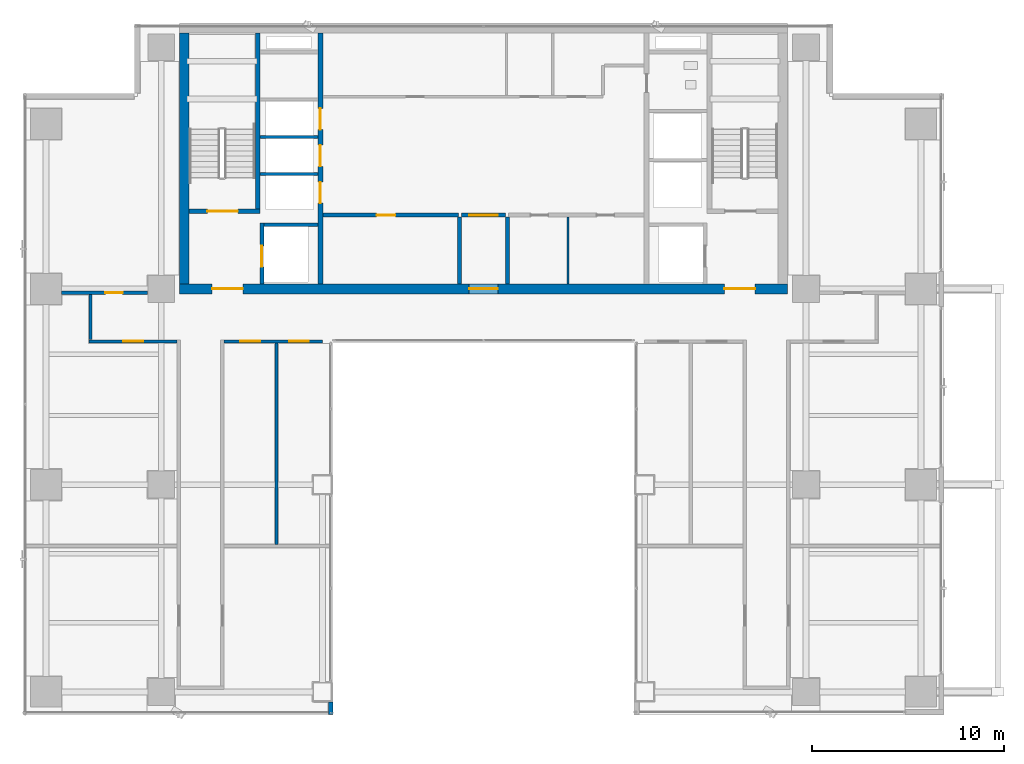
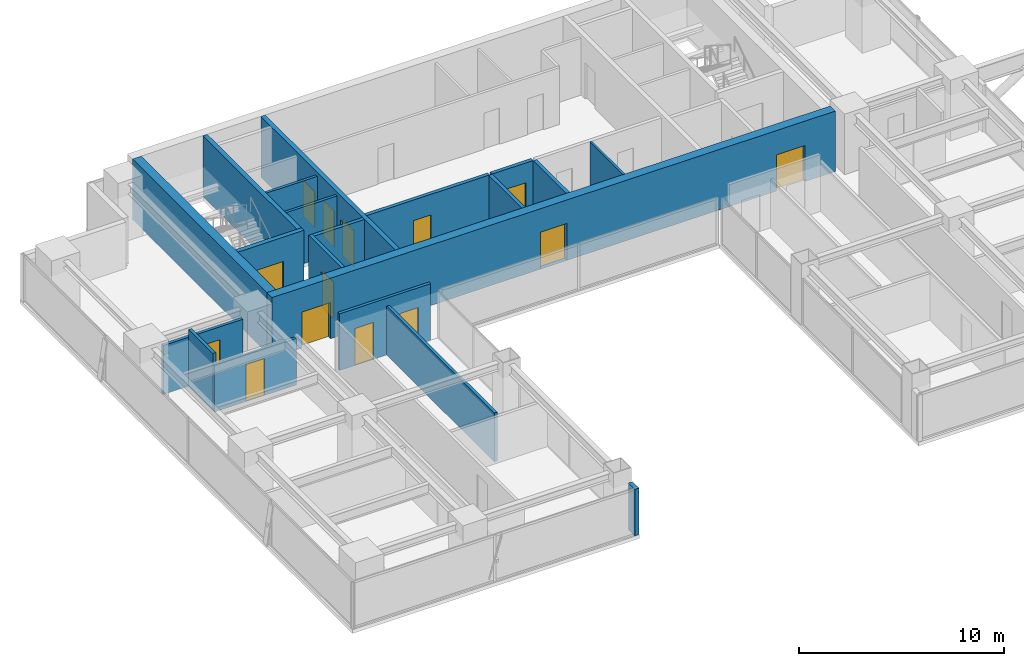
# One storey, part 25 of 31: 20 walls, 14 doors, 14 openings.
"""IFC4 building model written with IfcOpenShell, lengths in metres."""

from ifc_helpers import new_model, si_unit, direction, frame, frame_2d, origin, place, context, subcontext, project, spatial, rectangle, extrude, source, transform, mapped, material, layer, layer_set, type_object, element, fill, save


model = new_model("IFC4")

# Units and contexts
model_context = context("Model", 3, precision=1e-05, world=origin(), true_north=direction((0.0, 1.0)))
body_context = subcontext(model_context, "Body", "Model", "MODEL_VIEW")
ifc_project = project(units=[si_unit("LENGTHUNIT", "METRE"), si_unit("AREAUNIT", "SQUARE_METRE"), si_unit("VOLUMEUNIT", "CUBIC_METRE"), si_unit("PLANEANGLEUNIT", "RADIAN"), si_unit("MASSUNIT", "GRAM", prefix="KILO")], contexts=[model_context])

# Site, building, storey
site_placement = place(None, origin())
site = spatial("IfcSite", under=ifc_project, at=site_placement, CompositionType="ELEMENT")
building_placement = place(site_placement, origin())
building = spatial("IfcBuilding", under=site, at=building_placement, Name="Sumidabori Civic Tower", CompositionType="ELEMENT")
storey_placement = place(building_placement, frame((0.0, 0.0, 221.60009765625)))
storey = spatial("IfcBuildingStorey", under=building, at=storey_placement, Name="L57", CompositionType="ELEMENT", Elevation=221.60009765625)

# Wall
ifc_material_1 = material(Name="Concrete C50/60", Category="concrete")
ifc_layer_1 = layer(ifc_material_1, 0.199951171875, Name="Concrete C50/60")
ifc_layer_set_1 = layer_set([ifc_layer_1], Name="Concrete C50/60")
wall_type_1 = type_object("IfcWallType", Name="WL-SHAFT-200", PredefinedType="SHEAR", material=ifc_layer_set_1)
shared_shape_1 = source(origin(), body_context, "Body", "SweptSolid", [
    extrude(rectangle(XDim=2.824951171875, YDim=0.199951171875, at=frame_2d((1.41259765625, 0.0))), origin(), (0.0, 0.0, 1.0), 3.599853515625),
])
wall_1_placement = place(storey_placement, frame((-11.449951171875, 13.550048828125, 0.0), z_axis=(0.0, 0.0, 1.0), x_axis=(1.0, 0.0, 0.0)))
element("IfcWall", 1, at=wall_1_placement, inside=storey, type_object=wall_type_1, Name="Core Shear Wall L57 EL1-N", PredefinedType="SHEAR", context=body_context, shape_type="MappedRepresentation", body=[
    mapped(shared_shape_1, transform((0.0, 0.0, 0.0), x_axis=(1.0, 0.0, 0.0), y_axis=(0.0, 1.0, 0.0), z_axis=(0.0, 0.0, 1.0), scale=1.0)),
])

# Wall, openings, doors
ifc_layer_2 = layer(ifc_material_1, 0.5, Name="Concrete C50/60")
ifc_layer_set_2 = layer_set([ifc_layer_2], Name="Concrete C50/60")
wall_type_2 = type_object("IfcWallType", Name="WL-CORE-500", PredefinedType="SHEAR", material=ifc_layer_set_2)
shared_shape_2 = source(origin(), body_context, "Body", "SweptSolid", [
    extrude(rectangle(XDim=31.7001953125, YDim=0.5, at=frame_2d((15.85009765625, 0.0))), origin(), (0.0, 0.0, 1.0), 3.599853515625),
])
wall_2_placement = place(storey_placement, frame((-15.85009765625, 10.199951171875, 0.0), z_axis=(0.0, 0.0, 1.0), x_axis=(1.0, 0.0, 0.0)))
wall_2 = element("IfcWall", 2, at=wall_2_placement, inside=storey, type_object=wall_type_2, Name="Core Shear Wall L57 S", PredefinedType="SHEAR", context=body_context, shape_type="MappedRepresentation", body=[
    mapped(shared_shape_2, transform((0.0, 0.0, 0.0), x_axis=(1.0, 0.0, 0.0), y_axis=(0.0, 1.0, 0.0), z_axis=(0.0, 0.0, 1.0), scale=1.0)),
])
opening_1_placement = place(wall_2_placement, frame((1.699951171875, 0.0, 0.0)))
opening_1 = element("IfcOpeningElement", 3, at=opening_1_placement, cuts=wall_2, Name="Opening DR-FD4", PredefinedType="OPENING", context=body_context, shape_type="SweptSolid", body=[
    extrude(rectangle(XDim=1.60009765625, YDim=2.14990234375, at=frame_2d((0.800048828125, 1.074951171875))), frame((0.0, 0.261962890625, 0.0), z_axis=(0.0, -1.0, 0.0), x_axis=(1.0, 0.0, 0.0)), (0.0, 0.0, 1.0), 0.52392578125),
])
opening_2_placement = place(wall_2_placement, frame((28.39990234375, 0.0, 0.0)))
opening_2 = element("IfcOpeningElement", 4, at=opening_2_placement, cuts=wall_2, Name="Opening DR-FD4", PredefinedType="OPENING", context=body_context, shape_type="SweptSolid", body=[
    extrude(rectangle(XDim=1.60009765625, YDim=2.14990234375, at=frame_2d((0.800048828125, 1.074951171875))), frame((0.0, 0.261962890625, 0.0), z_axis=(0.0, -1.0, 0.0), x_axis=(1.0, 0.0, 0.0)), (0.0, 0.0, 1.0), 0.52392578125),
])
opening_3_placement = place(wall_2_placement, frame((15.10009765625, 0.0, 0.0)))
opening_3 = element("IfcOpeningElement", 5, at=opening_3_placement, cuts=wall_2, Name="Opening DR-FD3", PredefinedType="OPENING", context=body_context, shape_type="SweptSolid", body=[
    extrude(rectangle(XDim=1.5, YDim=2.199951171875, at=frame_2d((0.75, 1.10009765625))), frame((0.0, 0.261962890625, 0.0), z_axis=(0.0, -1.0, 0.0), x_axis=(1.0, 0.0, 0.0)), (0.0, 0.0, 1.0), 0.52392578125),
])
ifc_material_2 = material(Name="Steel SN490", Category="steel")
door_type_1 = type_object("IfcDoorType", Name="DR-FD4", OperationType="DOUBLE_DOOR_SINGLE_SWING", PredefinedType="DOOR", material=ifc_material_2)
shared_shape_3 = source(origin(), body_context, "Body", "SweptSolid", [
    extrude(rectangle(XDim=1.60009765625, YDim=2.14990234375, at=frame_2d((0.800048828125, 1.074951171875))), frame((0.0, 0.02490234375, 0.0), z_axis=(0.0, -1.0, 0.0), x_axis=(1.0, 0.0, 0.0)), (0.0, 0.0, 1.0), 0.050048828125),
])
door_1_placement = place(opening_1_placement, origin())
door_1 = element("IfcDoor", 6, at=door_1_placement, inside=storey, type_object=door_type_1, Name="Door DR:L57:ELOB-W", OperationType="DOUBLE_DOOR_SINGLE_SWING", OverallHeight=2.14990234375, OverallWidth=1.60009765625, PredefinedType="DOOR", context=body_context, shape_type="MappedRepresentation", body=[
    mapped(shared_shape_3, transform((0.0, 0.0, 0.0), x_axis=(1.0, 0.0, 0.0), y_axis=(0.0, 1.0, 0.0), z_axis=(0.0, 0.0, 1.0), scale=1.0)),
])
fill(opening_1, door_1)
door_2_placement = place(opening_2_placement, origin())
door_2 = element("IfcDoor", 7, at=door_2_placement, inside=storey, type_object=door_type_1, Name="Door DR:L57:ELOB-E", OperationType="DOUBLE_DOOR_SINGLE_SWING", OverallHeight=2.14990234375, OverallWidth=1.60009765625, PredefinedType="DOOR", context=body_context, shape_type="MappedRepresentation", body=[
    mapped(shared_shape_3, transform((0.0, 0.0, 0.0), x_axis=(1.0, 0.0, 0.0), y_axis=(0.0, 1.0, 0.0), z_axis=(0.0, 0.0, 1.0), scale=1.0)),
])
fill(opening_2, door_2)
door_type_2 = type_object("IfcDoorType", Name="DR-FD-DBL", OperationType="DOUBLE_DOOR_SINGLE_SWING", PredefinedType="DOOR", material=ifc_material_2)
shared_shape_4 = source(origin(), body_context, "Body", "SweptSolid", [
    extrude(rectangle(XDim=1.5, YDim=2.199951171875, at=frame_2d((0.75, 1.10009765625))), frame((0.0, 0.02490234375, 0.0), z_axis=(0.0, -1.0, 0.0), x_axis=(1.0, 0.0, 0.0)), (0.0, 0.0, 1.0), 0.050048828125),
])
door_3_placement = place(opening_3_placement, origin())
door_3 = element("IfcDoor", 8, at=door_3_placement, inside=storey, type_object=door_type_2, Name="Door DR:L57:THROAT-OUT", OperationType="DOUBLE_DOOR_SINGLE_SWING", OverallHeight=2.199951171875, OverallWidth=1.5, PredefinedType="DOOR", context=body_context, shape_type="MappedRepresentation", body=[
    mapped(shared_shape_4, transform((0.0, 0.0, 0.0), x_axis=(1.0, 0.0, 0.0), y_axis=(0.0, 1.0, 0.0), z_axis=(0.0, 0.0, 1.0), scale=1.0)),
])
fill(opening_3, door_3)

# Wall
shared_shape_5 = source(origin(), body_context, "Body", "SweptSolid", [
    extrude(rectangle(XDim=13.10009765625, YDim=0.5, at=frame_2d((6.550048828125, 0.0))), origin(), (0.0, 0.0, 1.0), 3.599853515625),
])
wall_3_placement = place(storey_placement, frame((-15.60009765625, 10.449951171875, 0.0), z_axis=(0.0, 0.0, 1.0), x_axis=(0.0, 1.0, 0.0)))
element("IfcWall", 9, at=wall_3_placement, inside=storey, type_object=wall_type_2, Name="Core Shear Wall L57 W", PredefinedType="SHEAR", context=body_context, shape_type="MappedRepresentation", body=[
    mapped(shared_shape_5, transform((0.0, 0.0, 0.0), x_axis=(1.0, 0.0, 0.0), y_axis=(0.0, 1.0, 0.0), z_axis=(0.0, 0.0, 1.0), scale=1.0)),
])

# Wall, openings, doors
ifc_layer_3 = layer(ifc_material_1, 0.25, Name="Concrete C50/60")
ifc_layer_set_3 = layer_set([ifc_layer_3], Name="Concrete C50/60")
wall_type_3 = type_object("IfcWallType", Name="WL-SHAFT-250", PredefinedType="SHEAR", material=ifc_layer_set_3)
shared_shape_6 = source(origin(), body_context, "Body", "SweptSolid", [
    extrude(rectangle(XDim=13.10009765625, YDim=0.25, at=frame_2d((6.550048828125, 0.0))), origin(), (0.0, 0.0, 1.0), 3.599853515625),
])
wall_4_placement = place(storey_placement, frame((-8.5, 10.449951171875, 0.0), z_axis=(0.0, 0.0, 1.0), x_axis=(0.0, 1.0, 0.0)))
wall_4 = element("IfcWall", 10, at=wall_4_placement, inside=storey, type_object=wall_type_3, Name="Core Shear Wall L57 WEB-W", PredefinedType="SHEAR", context=body_context, shape_type="MappedRepresentation", body=[
    mapped(shared_shape_6, transform((0.0, 0.0, 0.0), x_axis=(1.0, 0.0, 0.0), y_axis=(0.0, 1.0, 0.0), z_axis=(0.0, 0.0, 1.0), scale=1.0)),
])
opening_4_placement = place(wall_4_placement, frame((4.219970703125, 0.0, 0.0)))
opening_4 = element("IfcOpeningElement", 11, at=opening_4_placement, cuts=wall_4, Name="Opening LD-1", PredefinedType="OPENING", context=body_context, shape_type="SweptSolid", body=[
    extrude(rectangle(XDim=1.10009765625, YDim=2.14990234375, at=frame_2d((0.550048828125, 1.074951171875))), frame((0.0, 0.136962890625, 0.0), z_axis=(0.0, -1.0, 0.0), x_axis=(1.0, 0.0, 0.0)), (0.0, 0.0, 1.0), 0.27392578125),
])
opening_5_placement = place(wall_4_placement, frame((6.139892578125, 0.0, 0.0)))
opening_5 = element("IfcOpeningElement", 12, at=opening_5_placement, cuts=wall_4, Name="Opening LD-1", PredefinedType="OPENING", context=body_context, shape_type="SweptSolid", body=[
    extrude(rectangle(XDim=1.10009765625, YDim=2.14990234375, at=frame_2d((0.550048828125, 1.074951171875))), frame((0.0, 0.136962890625, 0.0), z_axis=(0.0, -1.0, 0.0), x_axis=(1.0, 0.0, 0.0)), (0.0, 0.0, 1.0), 0.27392578125),
])
opening_6_placement = place(wall_4_placement, frame((8.06005859375, 0.0, 0.0)))
opening_6 = element("IfcOpeningElement", 13, at=opening_6_placement, cuts=wall_4, Name="Opening LD-1", PredefinedType="OPENING", context=body_context, shape_type="SweptSolid", body=[
    extrude(rectangle(XDim=1.10009765625, YDim=2.14990234375, at=frame_2d((0.550048828125, 1.074951171875))), frame((0.0, 0.136962890625, 0.0), z_axis=(0.0, -1.0, 0.0), x_axis=(1.0, 0.0, 0.0)), (0.0, 0.0, 1.0), 0.27392578125),
])
ifc_material_3 = material(Name="Stainless Steel Hairline Finish", Category="steel")
door_type_3 = type_object("IfcDoorType", Name="DR-LD1", OperationType="DOUBLE_DOOR_SLIDING", PredefinedType="DOOR", material=ifc_material_3)
shared_shape_7 = source(origin(), body_context, "Body", "SweptSolid", [
    extrude(rectangle(XDim=1.10009765625, YDim=2.14990234375, at=frame_2d((0.550048828125, 1.074951171875))), frame((0.0, 0.02490234375, 0.0), z_axis=(0.0, -1.0, 0.0), x_axis=(1.0, 0.0, 0.0)), (0.0, 0.0, 1.0), 0.050048828125),
])
door_4_placement = place(opening_4_placement, origin())
door_4 = element("IfcDoor", 14, at=door_4_placement, inside=storey, type_object=door_type_3, Name="Door DR:L57:LD-PLH1", OperationType="DOUBLE_DOOR_SLIDING", OverallHeight=2.14990234375, OverallWidth=1.10009765625, PredefinedType="DOOR", context=body_context, shape_type="MappedRepresentation", body=[
    mapped(shared_shape_7, transform((0.0, 0.0, 0.0), x_axis=(1.0, 0.0, 0.0), y_axis=(0.0, 1.0, 0.0), z_axis=(0.0, 0.0, 1.0), scale=1.0)),
])
fill(opening_4, door_4)
door_5_placement = place(opening_5_placement, origin())
door_5 = element("IfcDoor", 15, at=door_5_placement, inside=storey, type_object=door_type_3, Name="Door DR:L57:LD-PLH2", OperationType="DOUBLE_DOOR_SLIDING", OverallHeight=2.14990234375, OverallWidth=1.10009765625, PredefinedType="DOOR", context=body_context, shape_type="MappedRepresentation", body=[
    mapped(shared_shape_7, transform((0.0, 0.0, 0.0), x_axis=(1.0, 0.0, 0.0), y_axis=(0.0, 1.0, 0.0), z_axis=(0.0, 0.0, 1.0), scale=1.0)),
])
fill(opening_5, door_5)
door_6_placement = place(opening_6_placement, origin())
door_6 = element("IfcDoor", 16, at=door_6_placement, inside=storey, type_object=door_type_3, Name="Door DR:L57:LD-PLH3", OperationType="DOUBLE_DOOR_SLIDING", OverallHeight=2.14990234375, OverallWidth=1.10009765625, PredefinedType="DOOR", context=body_context, shape_type="MappedRepresentation", body=[
    mapped(shared_shape_7, transform((0.0, 0.0, 0.0), x_axis=(1.0, 0.0, 0.0), y_axis=(0.0, 1.0, 0.0), z_axis=(0.0, 0.0, 1.0), scale=1.0)),
])
fill(opening_6, door_6)

# Wall, opening, door
shared_shape_8 = source(origin(), body_context, "Body", "SweptSolid", [
    extrude(rectangle(XDim=3.705078125, YDim=0.25, at=frame_2d((1.8525390625, 0.0))), origin(), (0.0, 0.0, 1.0), 3.599853515625),
])
wall_5_placement = place(storey_placement, frame((-15.35009765625, 14.25, 0.0), z_axis=(0.0, 0.0, 1.0), x_axis=(1.0, 0.0, 0.0)))
wall_5 = element("IfcWall", 17, at=wall_5_placement, inside=storey, type_object=wall_type_3, Name="Core Shear Wall L57 ST1-S", PredefinedType="SHEAR", context=body_context, shape_type="MappedRepresentation", body=[
    mapped(shared_shape_8, transform((0.0, 0.0, 0.0), x_axis=(1.0, 0.0, 0.0), y_axis=(0.0, 1.0, 0.0), z_axis=(0.0, 0.0, 1.0), scale=1.0)),
])
opening_7_placement = place(wall_5_placement, frame((0.949951171875, 0.0, 0.0)))
opening_7 = element("IfcOpeningElement", 18, at=opening_7_placement, cuts=wall_5, Name="Opening DR-FD4", PredefinedType="OPENING", context=body_context, shape_type="SweptSolid", body=[
    extrude(rectangle(XDim=1.60009765625, YDim=2.14990234375, at=frame_2d((0.800048828125, 1.074951171875))), frame((0.0, 0.136962890625, 0.0), z_axis=(0.0, -1.0, 0.0), x_axis=(1.0, 0.0, 0.0)), (0.0, 0.0, 1.0), 0.27392578125),
])
door_7_placement = place(opening_7_placement, origin())
door_7 = element("IfcDoor", 19, at=door_7_placement, inside=storey, type_object=door_type_1, Name="Door DR:L57:ST1", OperationType="DOUBLE_DOOR_SINGLE_SWING", OverallHeight=2.14990234375, OverallWidth=1.60009765625, PredefinedType="DOOR", context=body_context, shape_type="MappedRepresentation", body=[
    mapped(shared_shape_3, transform((0.0, 0.0, 0.0), x_axis=(1.0, 0.0, 0.0), y_axis=(0.0, 1.0, 0.0), z_axis=(0.0, 0.0, 1.0), scale=1.0)),
])
fill(opening_7, door_7)

# Wall
shared_shape_9 = source(origin(), body_context, "Body", "SweptSolid", [
    extrude(rectangle(XDim=9.175048828125, YDim=0.25, at=frame_2d((4.58740234375, 0.0))), origin(), (0.0, 0.0, 1.0), 3.599853515625),
])
wall_6_placement = place(storey_placement, frame((-11.77001953125, 14.375, 0.0), z_axis=(0.0, 0.0, 1.0), x_axis=(0.0, 1.0, 0.0)))
element("IfcWall", 20, at=wall_6_placement, inside=storey, type_object=wall_type_3, Name="Core Shear Wall L57 ST1-E", PredefinedType="SHEAR", context=body_context, shape_type="MappedRepresentation", body=[
    mapped(shared_shape_9, transform((0.0, 0.0, 0.0), x_axis=(1.0, 0.0, 0.0), y_axis=(0.0, 1.0, 0.0), z_axis=(0.0, 0.0, 1.0), scale=1.0)),
])

# Wall, opening, door
shared_shape_10 = source(origin(), body_context, "Body", "SweptSolid", [
    extrude(rectangle(XDim=3.199951171875, YDim=0.199951171875, at=frame_2d((1.60009765625, 0.0))), origin(), (0.0, 0.0, 1.0), 3.599853515625),
])
wall_7_placement = place(storey_placement, frame((-11.550048828125, 10.449951171875, 0.0), z_axis=(0.0, 0.0, 1.0), x_axis=(0.0, 1.0, 0.0)))
wall_7 = element("IfcWall", 21, at=wall_7_placement, inside=storey, type_object=wall_type_1, Name="Core Shear Wall L57 EL1-W", PredefinedType="SHEAR", context=body_context, shape_type="MappedRepresentation", body=[
    mapped(shared_shape_10, transform((0.0, 0.0, 0.0), x_axis=(1.0, 0.0, 0.0), y_axis=(0.0, 1.0, 0.0), z_axis=(0.0, 0.0, 1.0), scale=1.0)),
])
opening_8_placement = place(wall_7_placement, frame((0.89990234375, 0.0, 0.0)))
opening_8 = element("IfcOpeningElement", 22, at=opening_8_placement, cuts=wall_7, Name="Opening LD-2", PredefinedType="OPENING", context=body_context, shape_type="SweptSolid", body=[
    extrude(rectangle(XDim=1.10009765625, YDim=2.14990234375, at=frame_2d((0.550048828125, 1.074951171875))), frame((0.0, 0.11181640625, 0.0), z_axis=(0.0, -1.0, 0.0), x_axis=(1.0, 0.0, 0.0)), (0.0, 0.0, 1.0), 0.223876953125),
])
door_type_4 = type_object("IfcDoorType", Name="DR-LD2", OperationType="DOUBLE_DOOR_SLIDING", PredefinedType="DOOR", material=ifc_material_3)
door_8_placement = place(opening_8_placement, origin())
door_8 = element("IfcDoor", 23, at=door_8_placement, inside=storey, type_object=door_type_4, Name="Door DR:L57:LD-EL1", OperationType="DOUBLE_DOOR_SLIDING", OverallHeight=2.14990234375, OverallWidth=1.10009765625, PredefinedType="DOOR", context=body_context, shape_type="MappedRepresentation", body=[
    mapped(shared_shape_7, transform((0.0, 0.0, 0.0), x_axis=(1.0, 0.0, 0.0), y_axis=(0.0, 1.0, 0.0), z_axis=(0.0, 0.0, 1.0), scale=1.0)),
])
fill(opening_8, door_8)

# Walls
ifc_material_4 = material(Name="Precast concrete C40/50", Category="concrete")
ifc_layer_4 = layer(ifc_material_4, 0.300048828125, Name="Precast concrete C40/50")
ifc_layer_set_4 = layer_set([ifc_layer_4], Name="Precast concrete C40/50")
wall_type_4 = type_object("IfcWallType", Name="WL-EXT-POD300", PredefinedType="STANDARD", material=ifc_layer_set_4)
shared_shape_11 = source(origin(), body_context, "Body", "SweptSolid", [
    extrude(rectangle(XDim=0.639892578125, YDim=0.239990234375, at=frame_2d((0.31982421875, 0.0))), origin(), (0.0, 0.0, 1.0), 2.760009765625),
])
wall_8_placement = place(storey_placement, frame((-7.969970703125, -11.969970703125, 0.0), z_axis=(0.0, 0.0, 1.0), x_axis=(0.0, 1.0, 0.0)))
element("IfcWall", 24, at=wall_8_placement, inside=storey, type_object=wall_type_4, Name="Perimeter Pier Spandrel L57-02", PredefinedType="STANDARD", context=body_context, shape_type="MappedRepresentation", body=[
    mapped(shared_shape_11, transform((0.0, 0.0, 0.0), x_axis=(1.0, 0.0, 0.0), y_axis=(0.0, 1.0, 0.0), z_axis=(0.0, 0.0, 1.0), scale=1.0)),
])
ifc_material_5 = material(Name="Gypsum Plasterboard Acoustic Partition")
ifc_layer_5 = layer(ifc_material_5, 0.14990234375, Name="Gypsum Plasterboard Acoustic Partition")
ifc_layer_set_5 = layer_set([ifc_layer_5], Name="Gypsum Plasterboard Acoustic Partition")
wall_type_5 = type_object("IfcWallType", Name="WL-PART-150", PredefinedType="PARTITIONING", material=ifc_layer_set_5)
shared_shape_12 = source(origin(), body_context, "Body", "SweptSolid", [
    extrude(rectangle(XDim=3.010009765625, YDim=0.14990234375, at=frame_2d((1.5048828125, 0.0))), origin(), (0.0, 0.0, 1.0), 3.3798828125),
])
for number, where, z_axis, x_axis, name in (
    (25, (-11.639892578125, 16.199951171875, 0.0), (0.0, 0.0, 1.0), (1.0, 0.0, 0.0), "Interior Partition WL:L57:DIV-PLH1"),
    (26, (-11.639892578125, 18.1201171875, 0.0), (0.0, 0.0, 1.0), (1.0, 0.0, 0.0), "Interior Partition WL:L57:DIV-PLH2"),
):
    element("IfcWall", number, at=place(storey_placement, frame(where, z_axis=z_axis, x_axis=x_axis)), inside=storey, type_object=wall_type_5, Name=name, PredefinedType="PARTITIONING", context=body_context, shape_type="MappedRepresentation", body=[
        mapped(shared_shape_12, transform((0.0, 0.0, 0.0), x_axis=(1.0, 0.0, 0.0), y_axis=(0.0, 1.0, 0.0), z_axis=(0.0, 0.0, 1.0), scale=1.0)),
    ])

# Wall, opening, door
ifc_material_6 = material(Name="Gypsum Plasterboard Fire Partition")
ifc_layer_6 = layer(ifc_material_6, 0.199951171875, Name="Gypsum Plasterboard Fire Partition")
ifc_layer_set_6 = layer_set([ifc_layer_6], Name="Gypsum Plasterboard Fire Partition")
wall_type_6 = type_object("IfcWallType", Name="WL-PART-FIRE", PredefinedType="PARTITIONING", material=ifc_layer_set_6)
shared_shape_13 = source(origin(), body_context, "Body", "SweptSolid", [
    extrude(rectangle(XDim=7.070068359375, YDim=0.199951171875, at=frame_2d((3.53515625, 0.0))), origin(), (0.0, 0.0, 1.0), 3.3798828125),
])
wall_9_placement = place(storey_placement, frame((-8.3701171875, 14.050048828125, 0.0), z_axis=(0.0, 0.0, 1.0), x_axis=(1.0, 0.0, 0.0)))
wall_9 = element("IfcWall", 27, at=wall_9_placement, inside=storey, type_object=wall_type_6, Name="Interior Partition WL:L57:CBAND-SW", PredefinedType="PARTITIONING", context=body_context, shape_type="MappedRepresentation", body=[
    mapped(shared_shape_13, transform((0.0, 0.0, 0.0), x_axis=(1.0, 0.0, 0.0), y_axis=(0.0, 1.0, 0.0), z_axis=(0.0, 0.0, 1.0), scale=1.0)),
])
opening_9_placement = place(wall_9_placement, frame((2.800048828125, 0.0, 0.0)))
opening_9 = element("IfcOpeningElement", 28, at=opening_9_placement, cuts=wall_9, Name="Opening DR-3", PredefinedType="OPENING", context=body_context, shape_type="SweptSolid", body=[
    extrude(rectangle(XDim=0.97998046875, YDim=2.14990234375, at=frame_2d((0.489990234375, 1.074951171875))), frame((0.0, 0.11181640625, 0.0), z_axis=(0.0, -1.0, 0.0), x_axis=(1.0, 0.0, 0.0)), (0.0, 0.0, 1.0), 0.223876953125),
])
ifc_material_7 = material(Name="Japanese Hinoki Timber", Category="wood")
door_type_5 = type_object("IfcDoorType", Name="DR-INT-980", OperationType="NOTDEFINED", PredefinedType="DOOR", material=ifc_material_7)
shared_shape_14 = source(origin(), body_context, "Body", "SweptSolid", [
    extrude(rectangle(XDim=0.97998046875, YDim=2.14990234375, at=frame_2d((0.489990234375, 1.074951171875))), frame((0.0, 0.02490234375, 0.0), z_axis=(0.0, -1.0, 0.0), x_axis=(1.0, 0.0, 0.0)), (0.0, 0.0, 1.0), 0.050048828125),
])
door_9_placement = place(opening_9_placement, origin())
door_9 = element("IfcDoor", 29, at=door_9_placement, inside=storey, type_object=door_type_5, Name="Door DR:L57:REC-B1", OperationType="SINGLE_SWING_LEFT", OverallHeight=2.14990234375, OverallWidth=0.97998046875, PredefinedType="DOOR", context=body_context, shape_type="MappedRepresentation", body=[
    mapped(shared_shape_14, transform((0.0, 0.0, 0.0), x_axis=(1.0, 0.0, 0.0), y_axis=(0.0, 1.0, 0.0), z_axis=(0.0, 0.0, 1.0), scale=1.0)),
])
fill(opening_9, door_9)

shared_shape_15 = source(origin(), body_context, "Body", "SweptSolid", [
    extrude(rectangle(XDim=2.2998046875, YDim=0.199951171875, at=frame_2d((1.14990234375, 0.0))), origin(), (0.0, 0.0, 1.0), 3.3798828125),
])
wall_10_placement = place(storey_placement, frame((-1.14990234375, 14.050048828125, 0.0), z_axis=(0.0, 0.0, 1.0), x_axis=(1.0, 0.0, 0.0)))
wall_10 = element("IfcWall", 30, at=wall_10_placement, inside=storey, type_object=wall_type_6, Name="Interior Partition WL:L57:THROAT-N", PredefinedType="PARTITIONING", context=body_context, shape_type="MappedRepresentation", body=[
    mapped(shared_shape_15, transform((0.0, 0.0, 0.0), x_axis=(1.0, 0.0, 0.0), y_axis=(0.0, 1.0, 0.0), z_axis=(0.0, 0.0, 1.0), scale=1.0)),
])
opening_10_placement = place(wall_10_placement, frame((0.39990234375, 0.0, 0.0)))
opening_10 = element("IfcOpeningElement", 31, at=opening_10_placement, cuts=wall_10, Name="Opening DR-FD3", PredefinedType="OPENING", context=body_context, shape_type="SweptSolid", body=[
    extrude(rectangle(XDim=1.5, YDim=2.199951171875, at=frame_2d((0.75, 1.10009765625))), frame((0.0, 0.11181640625, 0.0), z_axis=(0.0, -1.0, 0.0), x_axis=(1.0, 0.0, 0.0)), (0.0, 0.0, 1.0), 0.223876953125),
])
door_10_placement = place(opening_10_placement, origin())
door_10 = element("IfcDoor", 32, at=door_10_placement, inside=storey, type_object=door_type_2, Name="Door DR:L57:THROAT-IN", OperationType="DOUBLE_DOOR_SINGLE_SWING", OverallHeight=2.199951171875, OverallWidth=1.5, PredefinedType="DOOR", context=body_context, shape_type="MappedRepresentation", body=[
    mapped(shared_shape_4, transform((0.0, 0.0, 0.0), x_axis=(1.0, 0.0, 0.0), y_axis=(0.0, 1.0, 0.0), z_axis=(0.0, 0.0, 1.0), scale=1.0)),
])
fill(opening_10, door_10)

# Walls
shared_shape_16 = source(origin(), body_context, "Body", "SweptSolid", [
    extrude(rectangle(XDim=3.489990234375, YDim=0.199951171875, at=frame_2d((1.7451171875, 0.0))), origin(), (0.0, 0.0, 1.0), 3.3798828125),
])
for number, where, z_axis, x_axis, name in (
    (33, (-1.25, 10.449951171875, 0.0), (0.0, 0.0, 1.0), (0.0, 1.0, 0.0), "Interior Partition WL:L57:THROAT-W"),
    (34, (1.25, 10.449951171875, 0.0), (0.0, 0.0, 1.0), (0.0, 1.0, 0.0), "Interior Partition WL:L57:THROAT-E"),
):
    element("IfcWall", number, at=place(storey_placement, frame(where, z_axis=z_axis, x_axis=x_axis)), inside=storey, type_object=wall_type_6, Name=name, PredefinedType="PARTITIONING", context=body_context, shape_type="MappedRepresentation", body=[
        mapped(shared_shape_16, transform((0.0, 0.0, 0.0), x_axis=(1.0, 0.0, 0.0), y_axis=(0.0, 1.0, 0.0), z_axis=(0.0, 0.0, 1.0), scale=1.0)),
    ])
ifc_layer_7 = layer(ifc_material_5, 0.1201171875, Name="Gypsum Plasterboard Acoustic Partition")
ifc_layer_set_7 = layer_set([ifc_layer_7], Name="Gypsum Plasterboard Acoustic Partition")
wall_type_7 = type_object("IfcWallType", Name="WL-PART-120", PredefinedType="PARTITIONING", material=ifc_layer_set_7)
shared_shape_17 = source(origin(), body_context, "Body", "SweptSolid", [
    extrude(rectangle(XDim=3.489990234375, YDim=0.1201171875, at=frame_2d((1.7451171875, 0.0))), origin(), (0.0, 0.0, 1.0), 3.3798828125),
])
wall_11_placement = place(storey_placement, frame((4.39990234375, 10.449951171875, 0.0), z_axis=(0.0, 0.0, 1.0), x_axis=(0.0, 1.0, 0.0)))
element("IfcWall", 35, at=wall_11_placement, inside=storey, type_object=wall_type_7, Name="Interior Partition WL:L57:REC-B2-SP", PredefinedType="PARTITIONING", context=body_context, shape_type="MappedRepresentation", body=[
    mapped(shared_shape_17, transform((0.0, 0.0, 0.0), x_axis=(1.0, 0.0, 0.0), y_axis=(0.0, 1.0, 0.0), z_axis=(0.0, 0.0, 1.0), scale=1.0)),
])

# Wall, opening, door
ifc_layer_8 = layer(ifc_material_5, 0.1650390625, Name="Gypsum Plasterboard Acoustic Partition")
ifc_layer_set_8 = layer_set([ifc_layer_8], Name="Gypsum Plasterboard Acoustic Partition")
wall_type_8 = type_object("IfcWallType", Name="WL-PART-165", PredefinedType="PARTITIONING", material=ifc_layer_set_8)
shared_shape_18 = source(origin(), body_context, "Body", "SweptSolid", [
    extrude(rectangle(XDim=4.599853515625, YDim=0.1650390625, at=frame_2d((2.2998046875, 0.0))), origin(), (0.0, 0.0, 1.0), 2.764892578125),
])
wall_12_placement = place(storey_placement, frame((-20.56494140625, 7.467529296875, 0.0), z_axis=(0.0, 0.0, 1.0), x_axis=(1.0, 0.0, 0.0)))
wall_12 = element("IfcWall", 36, at=wall_12_placement, inside=storey, type_object=wall_type_8, Name="Interior Partition WL:L57:CORR-SWO", PredefinedType="PARTITIONING", context=body_context, shape_type="MappedRepresentation", body=[
    mapped(shared_shape_18, transform((0.0, 0.0, 0.0), x_axis=(1.0, 0.0, 0.0), y_axis=(0.0, 1.0, 0.0), z_axis=(0.0, 0.0, 1.0), scale=1.0)),
])
opening_11_placement = place(wall_12_placement, frame((1.782470703125, 0.0, 0.0)))
opening_11 = element("IfcOpeningElement", 37, at=opening_11_placement, cuts=wall_12, Name="Opening DR-4", PredefinedType="OPENING", context=body_context, shape_type="SweptSolid", body=[
    extrude(rectangle(XDim=1.0400390625, YDim=2.199951171875, at=frame_2d((0.52001953125, 1.10009765625))), frame((0.0, 0.094482421875, 0.0), z_axis=(0.0, -1.0, 0.0), x_axis=(1.0, 0.0, 0.0)), (0.0, 0.0, 1.0), 0.18896484375),
])
door_type_6 = type_object("IfcDoorType", Name="DR-INT-1040", OperationType="NOTDEFINED", PredefinedType="DOOR", material=ifc_material_7)
shared_shape_19 = source(origin(), body_context, "Body", "SweptSolid", [
    extrude(rectangle(XDim=1.0400390625, YDim=2.199951171875, at=frame_2d((0.52001953125, 1.10009765625))), frame((0.0, 0.02490234375, 0.0), z_axis=(0.0, -1.0, 0.0), x_axis=(1.0, 0.0, 0.0)), (0.0, 0.0, 1.0), 0.050048828125),
])
door_11_placement = place(opening_11_placement, origin())
door_11 = element("IfcDoor", 38, at=door_11_placement, inside=storey, type_object=door_type_6, Name="Door DR:L57:D03", OperationType="SINGLE_SWING_LEFT", OverallHeight=2.199951171875, OverallWidth=1.0400390625, PredefinedType="DOOR", context=body_context, shape_type="MappedRepresentation", body=[
    mapped(shared_shape_19, transform((0.0, 0.0, 0.0), x_axis=(1.0, 0.0, 0.0), y_axis=(0.0, 1.0, 0.0), z_axis=(0.0, 0.0, 1.0), scale=1.0)),
])
fill(opening_11, door_11)

# Wall, openings, doors
shared_shape_20 = source(origin(), body_context, "Body", "SweptSolid", [
    extrude(rectangle(XDim=5.135009765625, YDim=0.1650390625, at=frame_2d((2.5673828125, 0.0))), origin(), (0.0, 0.0, 1.0), 3.3798828125),
])
wall_13_placement = place(storey_placement, frame((-13.534912109375, 7.467529296875, 0.0), z_axis=(0.0, 0.0, 1.0), x_axis=(1.0, 0.0, 0.0)))
wall_13 = element("IfcWall", 39, at=wall_13_placement, inside=storey, type_object=wall_type_8, Name="Interior Partition WL:L57:CORR-SWI", PredefinedType="PARTITIONING", context=body_context, shape_type="MappedRepresentation", body=[
    mapped(shared_shape_20, transform((0.0, 0.0, 0.0), x_axis=(1.0, 0.0, 0.0), y_axis=(0.0, 1.0, 0.0), z_axis=(0.0, 0.0, 1.0), scale=1.0)),
])
opening_12_placement = place(wall_13_placement, frame((3.396240234375, 0.0, 0.0)))
opening_12 = element("IfcOpeningElement", 40, at=opening_12_placement, cuts=wall_13, Name="Opening DR-4", PredefinedType="OPENING", context=body_context, shape_type="SweptSolid", body=[
    extrude(rectangle(XDim=1.0400390625, YDim=2.199951171875, at=frame_2d((0.52001953125, 1.10009765625))), frame((0.0, 0.094482421875, 0.0), z_axis=(0.0, -1.0, 0.0), x_axis=(1.0, 0.0, 0.0)), (0.0, 0.0, 1.0), 0.18896484375),
])
opening_13_placement = place(wall_13_placement, frame((0.8662109375, 0.0, 0.0)))
opening_13 = element("IfcOpeningElement", 41, at=opening_13_placement, cuts=wall_13, Name="Opening DR-4", PredefinedType="OPENING", context=body_context, shape_type="SweptSolid", body=[
    extrude(rectangle(XDim=1.0400390625, YDim=2.199951171875, at=frame_2d((0.52001953125, 1.10009765625))), frame((0.0, 0.094482421875, 0.0), z_axis=(0.0, -1.0, 0.0), x_axis=(1.0, 0.0, 0.0)), (0.0, 0.0, 1.0), 0.18896484375),
])
door_12_placement = place(opening_12_placement, origin())
door_12 = element("IfcDoor", 42, at=door_12_placement, inside=storey, type_object=door_type_6, Name="Door DR:L57:D05", OperationType="SINGLE_SWING_LEFT", OverallHeight=2.199951171875, OverallWidth=1.0400390625, PredefinedType="DOOR", context=body_context, shape_type="MappedRepresentation", body=[
    mapped(shared_shape_19, transform((0.0, 0.0, 0.0), x_axis=(1.0, 0.0, 0.0), y_axis=(0.0, 1.0, 0.0), z_axis=(0.0, 0.0, 1.0), scale=1.0)),
])
fill(opening_12, door_12)
door_13_placement = place(opening_13_placement, origin())
door_13 = element("IfcDoor", 43, at=door_13_placement, inside=storey, type_object=door_type_6, Name="Door DR:L57:D07", OperationType="SINGLE_SWING_LEFT", OverallHeight=2.199951171875, OverallWidth=1.0400390625, PredefinedType="DOOR", context=body_context, shape_type="MappedRepresentation", body=[
    mapped(shared_shape_19, transform((0.0, 0.0, 0.0), x_axis=(1.0, 0.0, 0.0), y_axis=(0.0, 1.0, 0.0), z_axis=(0.0, 0.0, 1.0), scale=1.0)),
])
fill(opening_13, door_13)

# Wall
shared_shape_21 = source(origin(), body_context, "Body", "SweptSolid", [
    extrude(rectangle(XDim=2.357666015625, YDim=0.1650390625, at=frame_2d((1.1787109375, 0.0))), origin(), (0.0, 0.0, 1.0), 3.3798828125),
])
wall_14_placement = place(storey_placement, frame((-20.482421875, 7.554931640625, 0.0), z_axis=(0.0, 0.0, 1.0), x_axis=(0.0, 1.0, 0.0)))
element("IfcWall", 44, at=wall_14_placement, inside=storey, type_object=wall_type_8, Name="Interior Partition WL:L57:CORR-VNW", PredefinedType="PARTITIONING", context=body_context, shape_type="MappedRepresentation", body=[
    mapped(shared_shape_21, transform((0.0, 0.0, 0.0), x_axis=(1.0, 0.0, 0.0), y_axis=(0.0, 1.0, 0.0), z_axis=(0.0, 0.0, 1.0), scale=1.0)),
])

# Wall, opening, door
shared_shape_22 = source(origin(), body_context, "Body", "SweptSolid", [
    extrude(rectangle(XDim=4.47998046875, YDim=0.1650390625, at=frame_2d((2.239990234375, 0.0))), origin(), (0.0, 0.0, 1.0), 2.914794921875),
])
wall_15_placement = place(storey_placement, frame((-21.989990234375, 10.0, 0.0), z_axis=(0.0, 0.0, 1.0), x_axis=(1.0, 0.0, 0.0)))
wall_15 = element("IfcWall", 45, at=wall_15_placement, inside=storey, type_object=wall_type_8, Name="Interior Partition WL:L57:FLK-NW", PredefinedType="PARTITIONING", context=body_context, shape_type="MappedRepresentation", body=[
    mapped(shared_shape_22, transform((0.0, 0.0, 0.0), x_axis=(1.0, 0.0, 0.0), y_axis=(0.0, 1.0, 0.0), z_axis=(0.0, 0.0, 1.0), scale=1.0)),
])
opening_14_placement = place(wall_15_placement, frame((2.284912109375, 0.0, 0.0)))
opening_14 = element("IfcOpeningElement", 46, at=opening_14_placement, cuts=wall_15, Name="Opening DR-1", PredefinedType="OPENING", context=body_context, shape_type="SweptSolid", body=[
    extrude(rectangle(XDim=0.89990234375, YDim=2.14990234375, at=frame_2d((0.449951171875, 1.074951171875))), frame((0.0, 0.094482421875, 0.0), z_axis=(0.0, -1.0, 0.0), x_axis=(1.0, 0.0, 0.0)), (0.0, 0.0, 1.0), 0.18896484375),
])
door_type_7 = type_object("IfcDoorType", Name="DR-INT-900", OperationType="NOTDEFINED", PredefinedType="DOOR", material=ifc_material_7)
shared_shape_23 = source(origin(), body_context, "Body", "SweptSolid", [
    extrude(rectangle(XDim=0.89990234375, YDim=2.14990234375, at=frame_2d((0.449951171875, 1.074951171875))), frame((0.0, 0.02490234375, 0.0), z_axis=(0.0, -1.0, 0.0), x_axis=(1.0, 0.0, 0.0)), (0.0, 0.0, 1.0), 0.050048828125),
])
door_14_placement = place(opening_14_placement, origin())
door_14 = element("IfcDoor", 47, at=door_14_placement, inside=storey, type_object=door_type_7, Name="Door DR:L57:FLK-NW", OperationType="SINGLE_SWING_LEFT", OverallHeight=2.14990234375, OverallWidth=0.89990234375, PredefinedType="DOOR", context=body_context, shape_type="MappedRepresentation", body=[
    mapped(shared_shape_23, transform((0.0, 0.0, 0.0), x_axis=(1.0, 0.0, 0.0), y_axis=(0.0, 1.0, 0.0), z_axis=(0.0, 0.0, 1.0), scale=1.0)),
])
fill(opening_14, door_14)

# Wall
shared_shape_24 = source(origin(), body_context, "Body", "SweptSolid", [
    extrude(rectangle(XDim=10.492431640625, YDim=0.1650390625, at=frame_2d((5.24609375, 0.0))), origin(), (0.0, 0.0, 1.0), 2.914794921875),
])
wall_16_placement = place(storey_placement, frame((-10.800048828125, -3.112548828125, 0.0), z_axis=(0.0, 0.0, 1.0), x_axis=(0.0, 1.0, 0.0)))
element("IfcWall", 48, at=wall_16_placement, inside=storey, type_object=wall_type_8, Name="Interior Partition WL:L57:VX-N1", PredefinedType="PARTITIONING", context=body_context, shape_type="MappedRepresentation", body=[
    mapped(shared_shape_24, transform((0.0, 0.0, 0.0), x_axis=(1.0, 0.0, 0.0), y_axis=(0.0, 1.0, 0.0), z_axis=(0.0, 0.0, 1.0), scale=1.0)),
])

save(model, "model.ifc")
